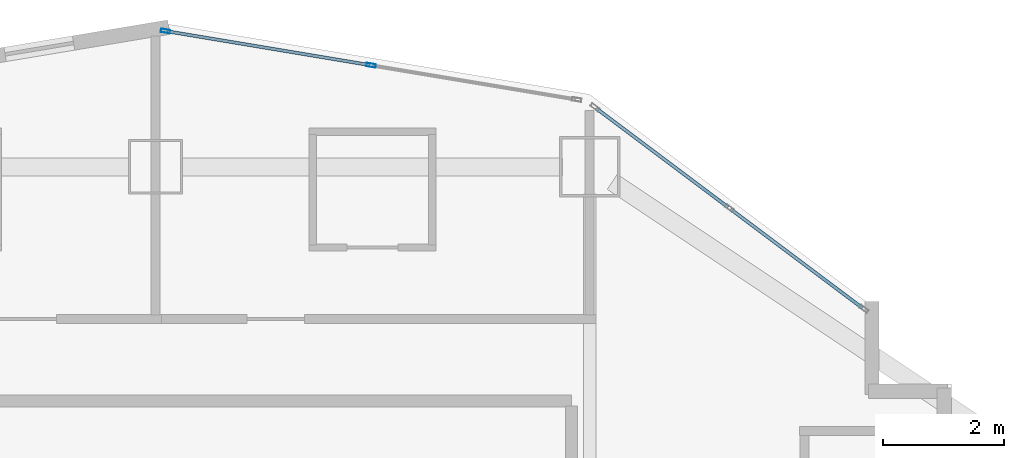
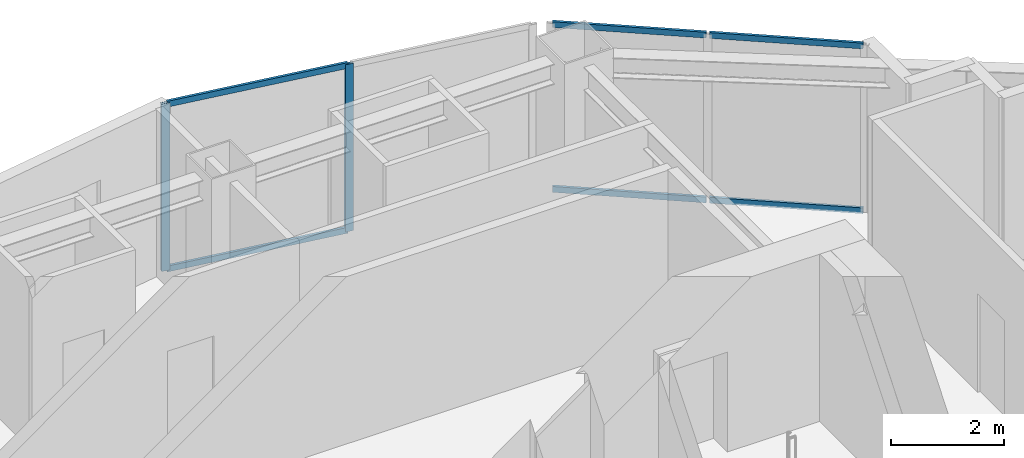
# One storey, part 2 of 13: 8 members, 2 elements without a shape of their own.
"""IFC4 building model written with IfcOpenShell, lengths in metres."""

from ifc_helpers import new_model, si_unit, direction, frame, origin, origin_2d, place, context, subcontext, project, spatial, hollow_rectangle, extrude, material, layer, layer_set, material_profile, profile_set, type_object, element, aggregate, save


model = new_model("IFC4")

# Units and contexts
model_context = context("Model", 3, precision=1e-05, world=origin(), true_north=direction((0.0, 1.0)))
body_context = subcontext(model_context, "Body", "Model", "MODEL_VIEW")
ifc_project = project(units=[si_unit("LENGTHUNIT", "METRE"), si_unit("AREAUNIT", "SQUARE_METRE"), si_unit("VOLUMEUNIT", "CUBIC_METRE"), si_unit("PLANEANGLEUNIT", "RADIAN"), si_unit("MASSUNIT", "GRAM", prefix="KILO")], contexts=[model_context])

# Site, building, storey
site_placement = place(None, origin())
site = spatial("IfcSite", under=ifc_project, at=site_placement, CompositionType="ELEMENT")
building_placement = place(site_placement, origin())
building = spatial("IfcBuilding", under=site, at=building_placement, Name="Haolan Belvedere Tower", CompositionType="ELEMENT")
storey_placement = place(building_placement, frame((0.0, 0.0, 102.199951171875)))
storey = spatial("IfcBuildingStorey", under=building, at=storey_placement, Name="L25", CompositionType="ELEMENT", Elevation=102.199951171875)

# Curtain wall, members
ifc_material_1 = material(Name="Anodised champagne-silver aluminium 6063-T6 and Low-E glass", Category="aluminium")
ifc_layer = layer(ifc_material_1, 0.155029296875, Name="Anodised champagne-silver aluminium 6063-T6 and Low-E glass")
ifc_layer_set = layer_set([ifc_layer], Name="Anodised champagne-silver aluminium 6063-T6 and Low-E glass")
curtain_wall_type = type_object("IfcCurtainWallType", Name="CW-SYS-03", PredefinedType="NOTDEFINED", material=ifc_layer_set)
curtain_wall_1_placement = place(storey_placement, origin())
curtain_wall_1 = element("IfcCurtainWall", 1, at=curtain_wall_1_placement, inside=storey, type_object=curtain_wall_type, Name="L25 CW-SYS-03 ribbon curtain wall 27.1", PredefinedType="NOTDEFINED")
ifc_material_2 = material(Name="Anodised aluminium 6063-T6", Category="aluminium")
ifc_material_profile_1 = material_profile(ifc_material_2, hollow_rectangle(XDim=0.05810546875, YDim=0.155029296875, WallThickness=0.00390625, at=origin_2d()), Name="Anodised aluminium 6063-T6")
ifc_profile_set_1 = profile_set([ifc_material_profile_1], Name="Anodised aluminium 6063-T6")
member_type_1 = type_object("IfcMemberType", Name="CW-SYS-03-MUL", PredefinedType="MULLION", material=ifc_profile_set_1)
member_1_placement = place(storey_placement, frame((41.9755859375, 52.082275390625, 0.0), z_axis=(0.0, 0.0, 1.0), x_axis=(-0.16440364043, -0.9863931483, 0.0)))
member_1 = element("IfcMember", 2, at=member_1_placement, type_object=member_type_1, Name="CW-03 mullion 2", PredefinedType="MULLION", context=body_context, shape_type="SweptSolid", body=[
    extrude(hollow_rectangle(XDim=0.05810546875, YDim=0.155029296875, WallThickness=0.00390625, at=origin_2d()), origin(), (0.0, 0.0, 1.0), 3.60009765625),
])
member_2_placement = place(storey_placement, frame((38.566650390625, 52.650634765625, 0.0), z_axis=(0.0, 0.0, 1.0), x_axis=(-0.16440364043, -0.9863931483, 0.0)))
member_2 = element("IfcMember", 3, at=member_2_placement, type_object=member_type_1, Name="CW-03 mullion 3", PredefinedType="MULLION", context=body_context, shape_type="SweptSolid", body=[
    extrude(hollow_rectangle(XDim=0.05810546875, YDim=0.155029296875, WallThickness=0.00390625, at=origin_2d()), origin(), (0.0, 0.0, 1.0), 3.60009765625),
])

curtain_wall_2_placement = place(storey_placement, origin())
curtain_wall_2 = element("IfcCurtainWall", 4, at=curtain_wall_2_placement, inside=storey, type_object=curtain_wall_type, Name="L25 CW-SYS-03 ribbon curtain wall 26.1", PredefinedType="NOTDEFINED")
ifc_material_profile_2 = material_profile(ifc_material_2, hollow_rectangle(XDim=0.053955078125, YDim=0.125, WallThickness=0.00390625, at=origin_2d()), Name="Anodised aluminium 6063-T6")
ifc_profile_set_2 = profile_set([ifc_material_profile_2], Name="Anodised aluminium 6063-T6")
member_type_2 = type_object("IfcMemberType", Name="CW-SYS-03-TRN", PredefinedType="USERDEFINED", material=ifc_profile_set_2)
member_3_placement = place(storey_placement, frame((50.12158203125, 48.058837890625, 0.027099609375), z_axis=(-0.8, 0.6, 0.0), x_axis=(-0.6, -0.8, 0.0)))
member_3 = element("IfcMember", 5, at=member_3_placement, type_object=member_type_2, Name="CW-03 transom 1.1", ObjectType="TRANSOM", PredefinedType="USERDEFINED", context=body_context, shape_type="SweptSolid", body=[
    extrude(hollow_rectangle(XDim=0.053955078125, YDim=0.125, WallThickness=0.00390625, at=origin_2d()), origin(), (0.0, 0.0, 1.0), 2.728271484375),
])
member_4_placement = place(storey_placement, frame((50.12158203125, 48.058837890625, 3.572998046875), z_axis=(-0.8, 0.6, 0.0), x_axis=(-0.6, -0.8, 0.0)))
member_4 = element("IfcMember", 6, at=member_4_placement, type_object=member_type_2, Name="CW-03 transom 1.2", ObjectType="TRANSOM", PredefinedType="USERDEFINED", context=body_context, shape_type="SweptSolid", body=[
    extrude(hollow_rectangle(XDim=0.053955078125, YDim=0.125, WallThickness=0.00390625, at=origin_2d()), origin(), (0.0, 0.0, 1.0), 2.728271484375),
])
member_5_placement = place(storey_placement, frame((47.892578125, 49.730712890625, 0.027099609375), z_axis=(-0.800032211306, 0.59995704919, 0.0), x_axis=(-0.59995704919, -0.800032211306, 0.0)))
member_5 = element("IfcMember", 7, at=member_5_placement, type_object=member_type_2, Name="CW-03 transom 2.1", ObjectType="TRANSOM", PredefinedType="USERDEFINED", context=body_context, shape_type="SweptSolid", body=[
    extrude(hollow_rectangle(XDim=0.053955078125, YDim=0.125, WallThickness=0.00390625, at=origin_2d()), origin(), (0.0, 0.0, 1.0), 2.728515625),
])
member_6_placement = place(storey_placement, frame((47.892578125, 49.730712890625, 3.572998046875), z_axis=(-0.800032211306, 0.59995704919, 0.0), x_axis=(-0.59995704919, -0.800032211306, 0.0)))
member_6 = element("IfcMember", 8, at=member_6_placement, type_object=member_type_2, Name="CW-03 transom 2.2", ObjectType="TRANSOM", PredefinedType="USERDEFINED", context=body_context, shape_type="SweptSolid", body=[
    extrude(hollow_rectangle(XDim=0.053955078125, YDim=0.125, WallThickness=0.00390625, at=origin_2d()), origin(), (0.0, 0.0, 1.0), 2.728515625),
])
aggregate(curtain_wall_2, [member_3, member_4, member_5, member_6])

# Member
member_7_placement = place(storey_placement, frame((41.947021484375, 52.087158203125, 0.027099609375), z_axis=(-0.986395865591, 0.16438733633, 0.0), x_axis=(-0.16438733633, -0.986395865591, 0.0)))
member_7 = element("IfcMember", 9, at=member_7_placement, type_object=member_type_2, Name="CW-03 transom 2.1", ObjectType="TRANSOM", PredefinedType="USERDEFINED", context=body_context, shape_type="SweptSolid", body=[
    extrude(hollow_rectangle(XDim=0.053955078125, YDim=0.125, WallThickness=0.00390625, at=origin_2d()), origin(), (0.0, 0.0, 1.0), 3.39794921875),
])

member_8_placement = place(storey_placement, frame((41.947021484375, 52.087158203125, 3.572998046875), z_axis=(-0.986395865591, 0.16438733633, 0.0), x_axis=(-0.16438733633, -0.986395865591, 0.0)))
member_8 = element("IfcMember", 10, at=member_8_placement, type_object=member_type_2, Name="CW-03 transom 2.2", ObjectType="TRANSOM", PredefinedType="USERDEFINED", context=body_context, shape_type="SweptSolid", body=[
    extrude(hollow_rectangle(XDim=0.053955078125, YDim=0.125, WallThickness=0.00390625, at=origin_2d()), origin(), (0.0, 0.0, 1.0), 3.39794921875),
])

aggregate(curtain_wall_1, [member_1, member_2, member_7, member_8])

save(model, "model.ifc")
